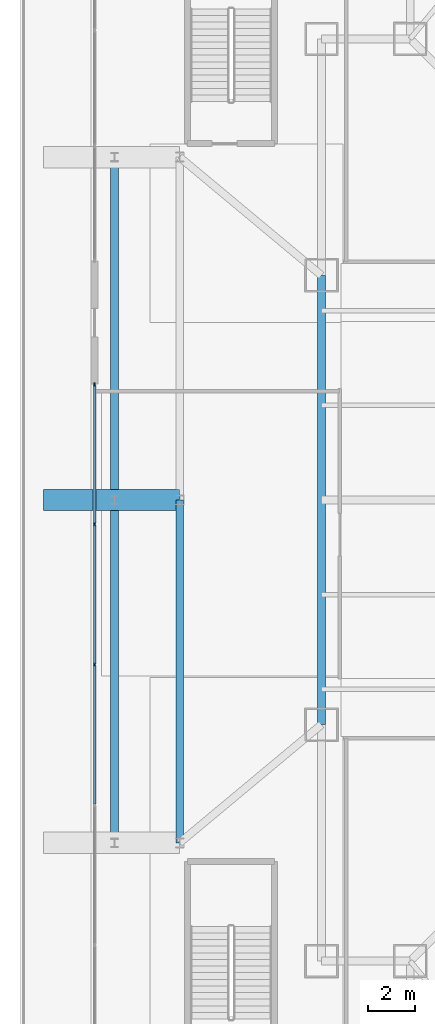
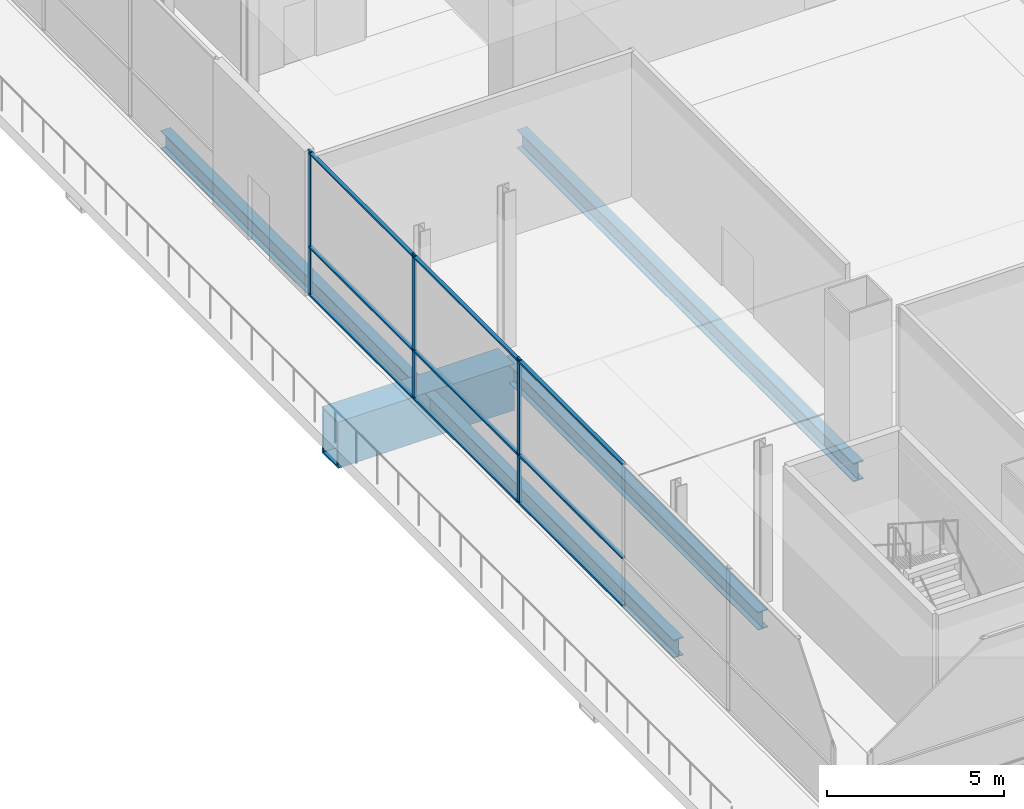
# One storey, part 7 of 36: 12 members, 4 beams, 1 element without a shape of its own.
"""IFC4 building model written with IfcOpenShell, lengths in metres."""

from ifc_helpers import new_model, si_unit, direction, frame, origin, origin_2d, place, context, subcontext, project, spatial, rectangle, hollow_rectangle, i_section, extrude, material, layer, layer_set, material_profile, profile_set, type_object, element, aggregate, save


model = new_model("IFC4")

# Units and contexts
model_context = context("Model", 3, precision=1e-05, world=origin(), true_north=direction((0.0, 1.0)))
body_context = subcontext(model_context, "Body", "Model", "MODEL_VIEW")
ifc_project = project(units=[si_unit("LENGTHUNIT", "METRE"), si_unit("AREAUNIT", "SQUARE_METRE"), si_unit("VOLUMEUNIT", "CUBIC_METRE"), si_unit("PLANEANGLEUNIT", "RADIAN"), si_unit("MASSUNIT", "GRAM", prefix="KILO")], contexts=[model_context])

# Site, building, storey
site_placement = place(None, origin())
site = spatial("IfcSite", under=ifc_project, at=site_placement, CompositionType="ELEMENT")
building_placement = place(site_placement, origin())
building = spatial("IfcBuilding", under=site, at=building_placement, Name="Trevonay Congress Spire", CompositionType="ELEMENT")
storey_placement = place(building_placement, frame((0.0, 0.0, 16.199951171875)))
storey = spatial("IfcBuildingStorey", under=building, at=storey_placement, Name="L03", CompositionType="ELEMENT", Elevation=16.199951171875)

# Beams
ifc_material_1 = material(Name="Steel ASTM A572 Grade 50", Category="steel")
ifc_material_profile_1 = material_profile(ifc_material_1, i_section(OverallWidth=0.324951171875, OverallDepth=0.615966796875, WebThickness=0.013916015625, FlangeThickness=0.021484375, FilletRadius=0.01806640625, at=origin_2d()), Name="W610x174")
ifc_profile_set_1 = profile_set([ifc_material_profile_1], Name="Steel ASTM A572 Grade 50")
beam_type_1 = type_object("IfcBeamType", Name="BM-GIRD-W610X174", PredefinedType="BEAM", material=ifc_profile_set_1)
beam_1_placement = place(storey_placement, frame((-29.25, -14.5, -0.7080078125), z_axis=(0.0, 1.0, 0.0), x_axis=(-1.0, 0.0, 0.0)))
element("IfcBeam", 1, at=beam_1_placement, inside=storey, type_object=beam_type_1, Name="L03 structural beam BM-L03-POD-WL", PredefinedType="BEAM", context=body_context, shape_type="SweptSolid", body=[
    extrude(i_section(OverallWidth=0.324951171875, OverallDepth=0.615966796875, WebThickness=0.013916015625, FlangeThickness=0.021484375, FilletRadius=0.01806640625, at=origin_2d()), origin(), (0.0, 0.0, 1.0), 14.5),
])
beam_2_placement = place(storey_placement, frame((-32.0, -14.5, -0.7080078125), z_axis=(0.0, 1.0, 0.0), x_axis=(-1.0, 0.0, 0.0)))
element("IfcBeam", 2, at=beam_2_placement, inside=storey, type_object=beam_type_1, Name="L03 structural beam BM-L03-EXWL", PredefinedType="BEAM", context=body_context, shape_type="SweptSolid", body=[
    extrude(i_section(OverallWidth=0.324951171875, OverallDepth=0.615966796875, WebThickness=0.013916015625, FlangeThickness=0.021484375, FilletRadius=0.01806640625, at=origin_2d()), origin(), (0.0, 0.0, 1.0), 29.0),
])
ifc_material_profile_2 = material_profile(ifc_material_1, i_section(OverallWidth=0.3291015625, OverallDepth=0.635009765625, WebThickness=0.017822265625, FlangeThickness=0.031005859375, FilletRadius=0.01806640625, at=origin_2d()), Name="W610x241")
ifc_profile_set_2 = profile_set([ifc_material_profile_2], Name="Steel ASTM A572 Grade 50")
beam_type_2 = type_object("IfcBeamType", Name="BM-GIRD-W610X241", PredefinedType="BEAM", material=ifc_profile_set_2)
beam_3_placement = place(storey_placement, frame((-23.25, -9.5, -0.717529296875), z_axis=(0.0, 1.0, 0.0), x_axis=(-1.0, 0.0, 0.0)))
element("IfcBeam", 3, at=beam_3_placement, inside=storey, type_object=beam_type_2, Name="L03 structural beam BM-L03-MW2", PredefinedType="BEAM", context=body_context, shape_type="SweptSolid", body=[
    extrude(i_section(OverallWidth=0.3291015625, OverallDepth=0.635009765625, WebThickness=0.017822265625, FlangeThickness=0.031005859375, FilletRadius=0.01806640625, at=origin_2d()), origin(), (0.0, 0.0, 1.0), 19.0),
])
ifc_material_profile_3 = material_profile(ifc_material_1, hollow_rectangle(XDim=0.89990234375, YDim=1.60009765625, WallThickness=0.06005859375, at=origin_2d()), Name="BOX 1600x900x60")
ifc_profile_set_3 = profile_set([ifc_material_profile_3], Name="Steel ASTM A572 Grade 50")
beam_type_3 = type_object("IfcBeamType", Name="BM-XFER-BOX1600", PredefinedType="BEAM", material=ifc_profile_set_3)
beam_4_placement = place(storey_placement, frame((-29.25, 0.0, -1.199951171875), z_axis=(-1.0, 0.0, 0.0), x_axis=(0.0, -1.0, 0.0)))
element("IfcBeam", 4, at=beam_4_placement, inside=storey, type_object=beam_type_3, Name="L03 structural beam BM-L03-EXW-C", PredefinedType="BEAM", context=body_context, shape_type="SweptSolid", body=[
    extrude(hollow_rectangle(XDim=0.89990234375, YDim=1.60009765625, WallThickness=0.06005859375, at=origin_2d()), origin(), (0.0, 0.0, 1.0), 5.75),
])

# Curtain wall, members
ifc_material_2 = material(Name="Pale Anodised Aluminium EN AW-6063-T6", Category="aluminium")
ifc_layer = layer(ifc_material_2, 0.179931640625, Name="Pale Anodised Aluminium EN AW-6063-T6")
ifc_layer_set = layer_set([ifc_layer], Name="Pale Anodised Aluminium EN AW-6063-T6")
curtain_wall_type = type_object("IfcCurtainWallType", Name="CW-SYS01-PODIUM-PALE-METAL", PredefinedType="NOTDEFINED", material=ifc_layer_set)
curtain_wall_placement = place(storey_placement, origin())
curtain_wall = element("IfcCurtainWall", 5, at=curtain_wall_placement, inside=storey, type_object=curtain_wall_type, Name="L03 W1 podium curtain wall", PredefinedType="NOTDEFINED")
ifc_material_profile_4 = material_profile(ifc_material_2, rectangle(XDim=0.06005859375, YDim=0.159912109375, at=origin_2d()), Name="CW-MULLION-160-ALUMINIUM")
ifc_profile_set_4 = profile_set([ifc_material_profile_4], Name="Pale Anodised Aluminium EN AW-6063-T6")
member_type_1 = type_object("IfcMemberType", Name="CW-MULLION-160-ALUMINIUM", PredefinedType="MULLION", material=ifc_profile_set_4)
member_1_placement = place(storey_placement, frame((-32.85009765625, -6.9599609375, 0.0), z_axis=(0.0, 0.0, 1.0), x_axis=(-1.0, 0.0, 0.0)))
member_1 = element("IfcMember", 6, at=member_1_placement, type_object=member_type_1, Name="CW01 mullion 4", PredefinedType="MULLION", context=body_context, shape_type="SweptSolid", body=[
    extrude(rectangle(XDim=0.06005859375, YDim=0.159912109375, at=origin_2d()), origin(), (0.0, 0.0, 1.0), 5.0),
])
member_2_placement = place(storey_placement, frame((-32.85009765625, -1.030029296875, 0.0), z_axis=(0.0, 0.0, 1.0), x_axis=(-1.0, 0.0, 0.0)))
member_2 = element("IfcMember", 7, at=member_2_placement, type_object=member_type_1, Name="CW01 mullion 5", PredefinedType="MULLION", context=body_context, shape_type="SweptSolid", body=[
    extrude(rectangle(XDim=0.06005859375, YDim=0.159912109375, at=origin_2d()), origin(), (0.0, 0.0, 1.0), 5.0),
])
member_3_placement = place(storey_placement, frame((-32.85009765625, 4.8701171875, 0.0), z_axis=(0.0, 0.0, 1.0), x_axis=(-1.0, 0.0, 0.0)))
member_3 = element("IfcMember", 8, at=member_3_placement, type_object=member_type_1, Name="CW01 mullion 6", PredefinedType="MULLION", context=body_context, shape_type="SweptSolid", body=[
    extrude(rectangle(XDim=0.06005859375, YDim=0.159912109375, at=origin_2d()), origin(), (0.0, 0.0, 1.0), 5.0),
])
ifc_material_profile_5 = material_profile(ifc_material_2, rectangle(XDim=0.1201171875, YDim=0.06005859375, at=origin_2d()), Name="CW-TRANSOM-120-ALUMINIUM")
ifc_profile_set_5 = profile_set([ifc_material_profile_5], Name="Pale Anodised Aluminium EN AW-6063-T6")
member_type_2 = type_object("IfcMemberType", Name="CW-TRANSOM-120-ALUMINIUM", PredefinedType="USERDEFINED", material=ifc_profile_set_5)
member_4_placement = place(storey_placement, frame((-32.85009765625, -12.860107421875, 0.06005859375), z_axis=(0.0, 1.0, 0.0), x_axis=(-1.0, 0.0, 0.0)))
member_4 = element("IfcMember", 9, at=member_4_placement, type_object=member_type_2, Name="CW01 transom 3.1", ObjectType="TRANSOM", PredefinedType="USERDEFINED", context=body_context, shape_type="SweptSolid", body=[
    extrude(rectangle(XDim=0.1201171875, YDim=0.06005859375, at=origin_2d()), origin(), (0.0, 0.0, 1.0), 5.8701171875),
])
member_5_placement = place(storey_placement, frame((-32.85009765625, -12.860107421875, 1.699951171875), z_axis=(0.0, 1.0, 0.0), x_axis=(-1.0, 0.0, 0.0)))
member_5 = element("IfcMember", 10, at=member_5_placement, type_object=member_type_2, Name="CW01 transom 3.2", ObjectType="TRANSOM", PredefinedType="USERDEFINED", context=body_context, shape_type="SweptSolid", body=[
    extrude(rectangle(XDim=0.1201171875, YDim=0.06005859375, at=origin_2d()), origin(), (0.0, 0.0, 1.0), 5.8701171875),
])
member_6_placement = place(storey_placement, frame((-32.85009765625, -12.860107421875, 4.93994140625), z_axis=(0.0, 1.0, 0.0), x_axis=(-1.0, 0.0, 0.0)))
member_6 = element("IfcMember", 11, at=member_6_placement, type_object=member_type_2, Name="CW01 transom 3.3", ObjectType="TRANSOM", PredefinedType="USERDEFINED", context=body_context, shape_type="SweptSolid", body=[
    extrude(rectangle(XDim=0.1201171875, YDim=0.06005859375, at=origin_2d()), origin(), (0.0, 0.0, 1.0), 5.8701171875),
])
member_7_placement = place(storey_placement, frame((-32.85009765625, -6.929931640625, 0.06005859375), z_axis=(0.0, 1.0, 0.0), x_axis=(-1.0, 0.0, 0.0)))
member_7 = element("IfcMember", 12, at=member_7_placement, type_object=member_type_2, Name="CW01 transom 4.1", ObjectType="TRANSOM", PredefinedType="USERDEFINED", context=body_context, shape_type="SweptSolid", body=[
    extrude(rectangle(XDim=0.1201171875, YDim=0.06005859375, at=origin_2d()), origin(), (0.0, 0.0, 1.0), 5.869873046875),
])
member_8_placement = place(storey_placement, frame((-32.85009765625, -6.929931640625, 1.699951171875), z_axis=(0.0, 1.0, 0.0), x_axis=(-1.0, 0.0, 0.0)))
member_8 = element("IfcMember", 13, at=member_8_placement, type_object=member_type_2, Name="CW01 transom 4.2", ObjectType="TRANSOM", PredefinedType="USERDEFINED", context=body_context, shape_type="SweptSolid", body=[
    extrude(rectangle(XDim=0.1201171875, YDim=0.06005859375, at=origin_2d()), origin(), (0.0, 0.0, 1.0), 5.869873046875),
])
member_9_placement = place(storey_placement, frame((-32.85009765625, -6.929931640625, 4.93994140625), z_axis=(0.0, 1.0, 0.0), x_axis=(-1.0, 0.0, 0.0)))
member_9 = element("IfcMember", 14, at=member_9_placement, type_object=member_type_2, Name="CW01 transom 4.3", ObjectType="TRANSOM", PredefinedType="USERDEFINED", context=body_context, shape_type="SweptSolid", body=[
    extrude(rectangle(XDim=0.1201171875, YDim=0.06005859375, at=origin_2d()), origin(), (0.0, 0.0, 1.0), 5.869873046875),
])
member_10_placement = place(storey_placement, frame((-32.85009765625, -1.0, 0.06005859375), z_axis=(0.0, 1.0, 0.0), x_axis=(-1.0, 0.0, 0.0)))
member_10 = element("IfcMember", 15, at=member_10_placement, type_object=member_type_2, Name="CW01 transom 5.1", ObjectType="TRANSOM", PredefinedType="USERDEFINED", context=body_context, shape_type="SweptSolid", body=[
    extrude(rectangle(XDim=0.1201171875, YDim=0.06005859375, at=origin_2d()), origin(), (0.0, 0.0, 1.0), 5.840087890625),
])
member_11_placement = place(storey_placement, frame((-32.85009765625, -1.0, 1.699951171875), z_axis=(0.0, 1.0, 0.0), x_axis=(-1.0, 0.0, 0.0)))
member_11 = element("IfcMember", 16, at=member_11_placement, type_object=member_type_2, Name="CW01 transom 5.2", ObjectType="TRANSOM", PredefinedType="USERDEFINED", context=body_context, shape_type="SweptSolid", body=[
    extrude(rectangle(XDim=0.1201171875, YDim=0.06005859375, at=origin_2d()), origin(), (0.0, 0.0, 1.0), 5.840087890625),
])
member_12_placement = place(storey_placement, frame((-32.85009765625, -1.0, 4.93994140625), z_axis=(0.0, 1.0, 0.0), x_axis=(-1.0, 0.0, 0.0)))
member_12 = element("IfcMember", 17, at=member_12_placement, type_object=member_type_2, Name="CW01 transom 5.3", ObjectType="TRANSOM", PredefinedType="USERDEFINED", context=body_context, shape_type="SweptSolid", body=[
    extrude(rectangle(XDim=0.1201171875, YDim=0.06005859375, at=origin_2d()), origin(), (0.0, 0.0, 1.0), 5.840087890625),
])
aggregate(curtain_wall, [member_1, member_2, member_3, member_4, member_5, member_6, member_7, member_8, member_9, member_10, member_11, member_12])

save(model, "model.ifc")
